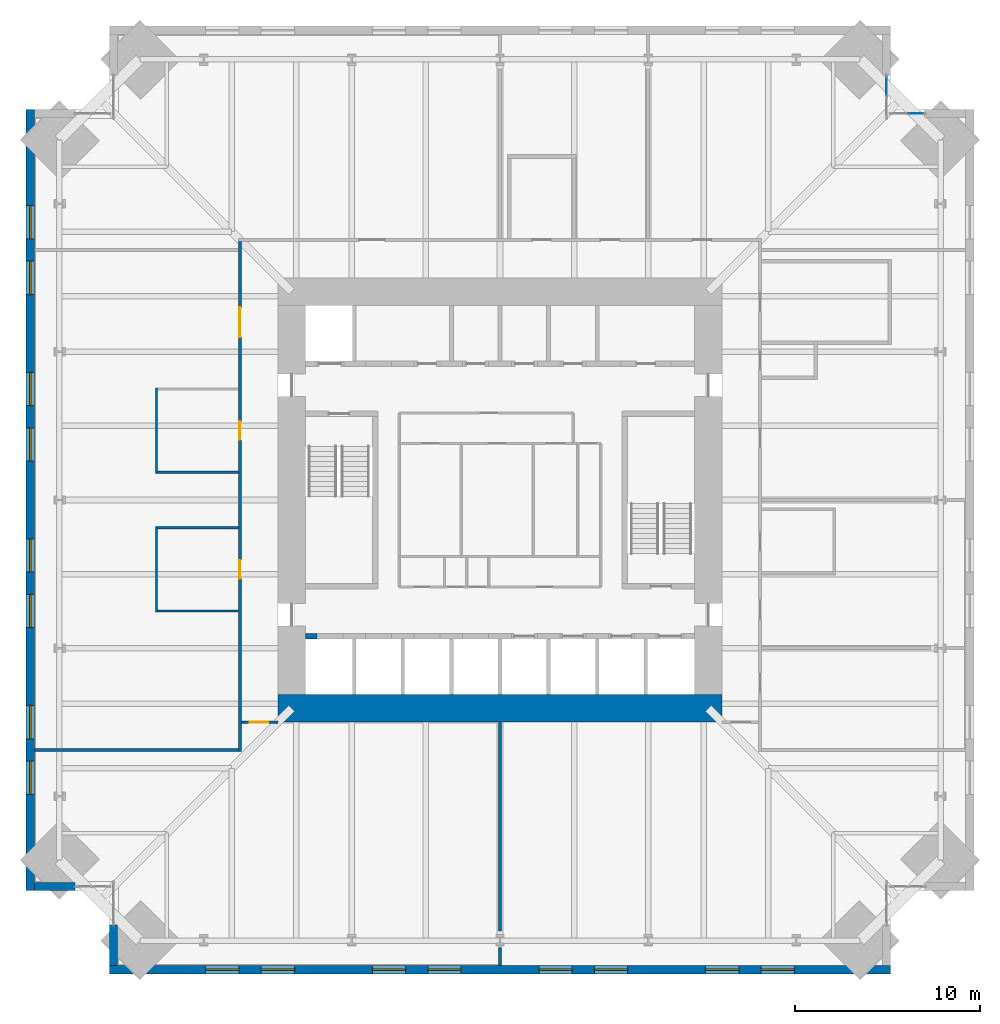
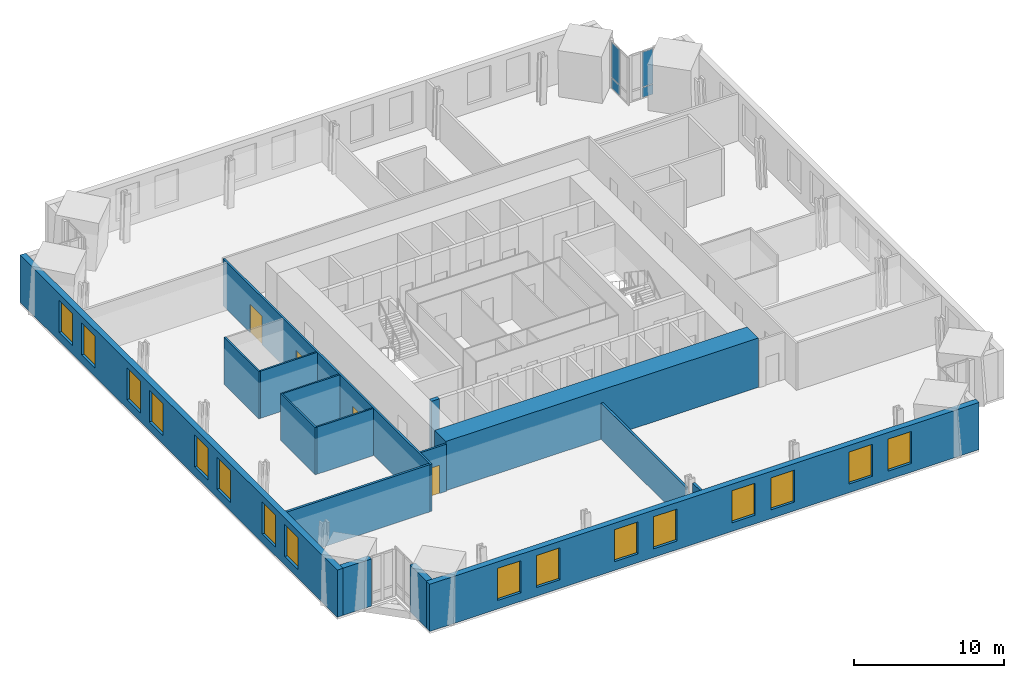
# One storey, part 13 of 18: 16 walls, 16 windows, 4 doors, 4 plates, 20 openings, 2 elements without a shape of their own.
"""IFC4 building model written with IfcOpenShell, lengths in metres."""

from ifc_helpers import new_model, si_unit, direction, frame, frame_2d, origin, origin_2d, place, context, subcontext, project, spatial, rectangle, extrude, material, layer, layer_set, type_object, element, fill, aggregate, save


model = new_model("IFC4")

# Units and contexts
model_context = context("Model", 3, precision=1e-05, world=origin(), true_north=direction((0.0, 1.0)))
body_context = subcontext(model_context, "Body", "Model", "MODEL_VIEW")
ifc_project = project(units=[si_unit("LENGTHUNIT", "METRE"), si_unit("AREAUNIT", "SQUARE_METRE"), si_unit("VOLUMEUNIT", "CUBIC_METRE"), si_unit("PLANEANGLEUNIT", "RADIAN"), si_unit("MASSUNIT", "GRAM", prefix="KILO")], contexts=[model_context])

# Site, building, storey
site_placement = place(None, origin())
site = spatial("IfcSite", under=ifc_project, at=site_placement, CompositionType="ELEMENT")
building_placement = place(site_placement, origin())
building = spatial("IfcBuilding", under=site, at=building_placement, Name="Peilmerk Tower", CompositionType="ELEMENT")
storey_placement = place(building_placement, frame((0.0, 0.0, 175.800048828125)))
storey = spatial("IfcBuildingStorey", under=building, at=storey_placement, Name="L37", CompositionType="ELEMENT", Elevation=175.800048828125)

# Curtain wall, plates
ifc_material_1 = material(Name="Aluminium stick curtain wall", Category="aluminium")
curtain_wall_type = type_object("IfcCurtainWallType", Name="CW3 stick curtain wall, 2250 module", PredefinedType="NOTDEFINED", material=ifc_material_1)
curtain_wall_1_placement = place(storey_placement, origin())
curtain_wall_1 = element("IfcCurtainWall", 1, at=curtain_wall_1_placement, inside=storey, type_object=curtain_wall_type, Name="Curtain wall CW3 NEA L37", PredefinedType="NOTDEFINED")
ifc_material_2 = material(Name="Clear insulated glazing unit", Category="glass")
ifc_layer_1 = layer(ifc_material_2, 0.028076171875)
ifc_layer_set_1 = layer_set([ifc_layer_1], Name="Clear insulated glazing unit")
plate_type = type_object("IfcPlateType", Name="CW3-P 28 glazed panel", PredefinedType="CURTAIN_PANEL", material=ifc_layer_set_1)
plate_1_placement = place(storey_placement, frame((20.875, 22.350341796875, 0.06494140625), z_axis=(0.0, 0.0, 1.0), x_axis=(0.0, 1.0, 0.0)))
plate_1 = element("IfcPlate", 2, at=plate_1_placement, type_object=plate_type, Name="CW3 panel 2.1", PredefinedType="CURTAIN_PANEL", context=body_context, shape_type="SweptSolid", body=[
    extrude(rectangle(XDim=1.046875, YDim=0.028076171875, at=origin_2d()), origin(), (0.0, 0.0, 1.0), 0.802490234375),
])
plate_2_placement = place(storey_placement, frame((20.875, 22.350341796875, 0.932373046875), z_axis=(0.0, 0.0, 1.0), x_axis=(0.0, 1.0, 0.0)))
plate_2 = element("IfcPlate", 3, at=plate_2_placement, type_object=plate_type, Name="CW3 panel 2.2", PredefinedType="CURTAIN_PANEL", context=body_context, shape_type="SweptSolid", body=[
    extrude(rectangle(XDim=1.046875, YDim=0.028076171875, at=origin_2d()), origin(), (0.0, 0.0, 1.0), 2.83251953125),
])
aggregate(curtain_wall_1, [plate_1, plate_2])

curtain_wall_2_placement = place(storey_placement, origin())
curtain_wall_2 = element("IfcCurtainWall", 4, at=curtain_wall_2_placement, inside=storey, type_object=curtain_wall_type, Name="Curtain wall CW3 NEB L37", PredefinedType="NOTDEFINED")
plate_3_placement = place(storey_placement, frame((22.462646484375, 20.875, 0.06494140625), z_axis=(0.0, 0.0, 1.0), x_axis=(1.0, 0.0, 0.0)))
plate_3 = element("IfcPlate", 5, at=plate_3_placement, type_object=plate_type, Name="CW3 panel 2.1", PredefinedType="CURTAIN_PANEL", context=body_context, shape_type="SweptSolid", body=[
    extrude(rectangle(XDim=0.82177734375, YDim=0.028076171875, at=origin_2d()), origin(), (0.0, 0.0, 1.0), 0.802490234375),
])
plate_4_placement = place(storey_placement, frame((22.462646484375, 20.875, 0.932373046875), z_axis=(0.0, 0.0, 1.0), x_axis=(1.0, 0.0, 0.0)))
plate_4 = element("IfcPlate", 6, at=plate_4_placement, type_object=plate_type, Name="CW3 panel 2.2", PredefinedType="CURTAIN_PANEL", context=body_context, shape_type="SweptSolid", body=[
    extrude(rectangle(XDim=0.82177734375, YDim=0.028076171875, at=origin_2d()), origin(), (0.0, 0.0, 1.0), 2.83251953125),
])
aggregate(curtain_wall_2, [plate_3, plate_4])

# Wall, openings, windows
ifc_material_3 = material(Name="Precast concrete C45/55, board-marked finish", Category="concrete")
ifc_layer_2 = layer(ifc_material_3, 0.449951171875)
ifc_layer_set_2 = layer_set([ifc_layer_2], Name="Precast concrete C45/55, board-marked finish")
wall_type_1 = type_object("IfcWallType", Name="EW1 450 precast concrete facade wall, board-marked", PredefinedType="SOLIDWALL", material=ifc_layer_set_2)
wall_1_placement = place(storey_placement, frame((-21.10009765625, -25.375, 0.0), z_axis=(0.0, 0.0, 1.0), x_axis=(1.0, 0.0, 0.0)))
wall_1 = element("IfcWall", 7, at=wall_1_placement, inside=storey, type_object=wall_type_1, Name="Facade wall S L37", PredefinedType="SOLIDWALL", context=body_context, shape_type="SweptSolid", body=[
    extrude(rectangle(XDim=42.2001953125, YDim=0.449951171875, at=frame_2d((21.10009765625, 0.0))), origin(), (0.0, 0.0, 1.0), 3.829833984375),
])
opening_1_placement = place(wall_1_placement, frame((5.199951171875, 0.0, 0.699951171875)))
opening_1 = element("IfcOpeningElement", 8, at=opening_1_placement, cuts=wall_1, Name="Opening W1", PredefinedType="OPENING", context=body_context, shape_type="SweptSolid", body=[
    extrude(rectangle(XDim=1.800048828125, YDim=2.60009765625, at=frame_2d((0.89990234375, 1.300048828125))), frame((0.0, 0.23486328125, 0.0), z_axis=(0.0, -1.0, 0.0), x_axis=(1.0, 0.0, 0.0)), (0.0, 0.0, 1.0), 0.469970703125),
])
opening_2_placement = place(wall_1_placement, frame((8.199951171875, 0.0, 0.699951171875)))
opening_2 = element("IfcOpeningElement", 9, at=opening_2_placement, cuts=wall_1, Name="Opening W1", PredefinedType="OPENING", context=body_context, shape_type="SweptSolid", body=[
    extrude(rectangle(XDim=1.800048828125, YDim=2.60009765625, at=frame_2d((0.89990234375, 1.300048828125))), frame((0.0, 0.23486328125, 0.0), z_axis=(0.0, -1.0, 0.0), x_axis=(1.0, 0.0, 0.0)), (0.0, 0.0, 1.0), 0.469970703125),
])
opening_3_placement = place(wall_1_placement, frame((14.199951171875, 0.0, 0.699951171875)))
opening_3 = element("IfcOpeningElement", 10, at=opening_3_placement, cuts=wall_1, Name="Opening W1", PredefinedType="OPENING", context=body_context, shape_type="SweptSolid", body=[
    extrude(rectangle(XDim=1.800048828125, YDim=2.60009765625, at=frame_2d((0.89990234375, 1.300048828125))), frame((0.0, 0.23486328125, 0.0), z_axis=(0.0, -1.0, 0.0), x_axis=(1.0, 0.0, 0.0)), (0.0, 0.0, 1.0), 0.469970703125),
])
opening_4_placement = place(wall_1_placement, frame((17.199951171875, 0.0, 0.699951171875)))
opening_4 = element("IfcOpeningElement", 11, at=opening_4_placement, cuts=wall_1, Name="Opening W1", PredefinedType="OPENING", context=body_context, shape_type="SweptSolid", body=[
    extrude(rectangle(XDim=1.800048828125, YDim=2.60009765625, at=frame_2d((0.89990234375, 1.300048828125))), frame((0.0, 0.23486328125, 0.0), z_axis=(0.0, -1.0, 0.0), x_axis=(1.0, 0.0, 0.0)), (0.0, 0.0, 1.0), 0.469970703125),
])
opening_5_placement = place(wall_1_placement, frame((23.199951171875, 0.0, 0.699951171875)))
opening_5 = element("IfcOpeningElement", 12, at=opening_5_placement, cuts=wall_1, Name="Opening W1", PredefinedType="OPENING", context=body_context, shape_type="SweptSolid", body=[
    extrude(rectangle(XDim=1.800048828125, YDim=2.60009765625, at=frame_2d((0.89990234375, 1.300048828125))), frame((0.0, 0.23486328125, 0.0), z_axis=(0.0, -1.0, 0.0), x_axis=(1.0, 0.0, 0.0)), (0.0, 0.0, 1.0), 0.469970703125),
])
opening_6_placement = place(wall_1_placement, frame((26.199951171875, 0.0, 0.699951171875)))
opening_6 = element("IfcOpeningElement", 13, at=opening_6_placement, cuts=wall_1, Name="Opening W1", PredefinedType="OPENING", context=body_context, shape_type="SweptSolid", body=[
    extrude(rectangle(XDim=1.800048828125, YDim=2.60009765625, at=frame_2d((0.89990234375, 1.300048828125))), frame((0.0, 0.23486328125, 0.0), z_axis=(0.0, -1.0, 0.0), x_axis=(1.0, 0.0, 0.0)), (0.0, 0.0, 1.0), 0.469970703125),
])
opening_7_placement = place(wall_1_placement, frame((32.199951171875, 0.0, 0.699951171875)))
opening_7 = element("IfcOpeningElement", 14, at=opening_7_placement, cuts=wall_1, Name="Opening W1", PredefinedType="OPENING", context=body_context, shape_type="SweptSolid", body=[
    extrude(rectangle(XDim=1.800048828125, YDim=2.60009765625, at=frame_2d((0.89990234375, 1.300048828125))), frame((0.0, 0.23486328125, 0.0), z_axis=(0.0, -1.0, 0.0), x_axis=(1.0, 0.0, 0.0)), (0.0, 0.0, 1.0), 0.469970703125),
])
opening_8_placement = place(wall_1_placement, frame((35.199951171875, 0.0, 0.699951171875)))
opening_8 = element("IfcOpeningElement", 15, at=opening_8_placement, cuts=wall_1, Name="Opening W1", PredefinedType="OPENING", context=body_context, shape_type="SweptSolid", body=[
    extrude(rectangle(XDim=1.800048828125, YDim=2.60009765625, at=frame_2d((0.89990234375, 1.300048828125))), frame((0.0, 0.23486328125, 0.0), z_axis=(0.0, -1.0, 0.0), x_axis=(1.0, 0.0, 0.0)), (0.0, 0.0, 1.0), 0.469970703125),
])
ifc_material_4 = material(Name="Aluminium frame, clear double glazing", Category="aluminium")
window_type = type_object("IfcWindowType", Name="W1 1800x2600 office window", PartitioningType="SINGLE_PANEL", PredefinedType="WINDOW", material=ifc_material_4)
window_1_placement = place(opening_1_placement, origin())
window_1 = element("IfcWindow", 16, at=window_1_placement, inside=storey, type_object=window_type, Name="Window W1 L37", OverallHeight=2.60009765625, OverallWidth=1.800048828125, PartitioningType="SINGLE_PANEL", PredefinedType="WINDOW", context=body_context, shape_type="SweptSolid", body=[
    extrude(rectangle(XDim=1.800048828125, YDim=2.60009765625, at=frame_2d((0.89990234375, 1.300048828125))), frame((0.0, 0.030029296875, 0.0), z_axis=(0.0, -1.0, 0.0), x_axis=(1.0, 0.0, 0.0)), (0.0, 0.0, 1.0), 0.06005859375),
])
fill(opening_1, window_1)
window_2_placement = place(opening_2_placement, origin())
window_2 = element("IfcWindow", 17, at=window_2_placement, inside=storey, type_object=window_type, Name="Window W1 L37", OverallHeight=2.60009765625, OverallWidth=1.800048828125, PartitioningType="SINGLE_PANEL", PredefinedType="WINDOW", context=body_context, shape_type="SweptSolid", body=[
    extrude(rectangle(XDim=1.800048828125, YDim=2.60009765625, at=frame_2d((0.89990234375, 1.300048828125))), frame((0.0, 0.030029296875, 0.0), z_axis=(0.0, -1.0, 0.0), x_axis=(1.0, 0.0, 0.0)), (0.0, 0.0, 1.0), 0.06005859375),
])
fill(opening_2, window_2)
window_3_placement = place(opening_3_placement, origin())
window_3 = element("IfcWindow", 18, at=window_3_placement, inside=storey, type_object=window_type, Name="Window W1 L37", OverallHeight=2.60009765625, OverallWidth=1.800048828125, PartitioningType="SINGLE_PANEL", PredefinedType="WINDOW", context=body_context, shape_type="SweptSolid", body=[
    extrude(rectangle(XDim=1.800048828125, YDim=2.60009765625, at=frame_2d((0.89990234375, 1.300048828125))), frame((0.0, 0.030029296875, 0.0), z_axis=(0.0, -1.0, 0.0), x_axis=(1.0, 0.0, 0.0)), (0.0, 0.0, 1.0), 0.06005859375),
])
fill(opening_3, window_3)
window_4_placement = place(opening_4_placement, origin())
window_4 = element("IfcWindow", 19, at=window_4_placement, inside=storey, type_object=window_type, Name="Window W1 L37", OverallHeight=2.60009765625, OverallWidth=1.800048828125, PartitioningType="SINGLE_PANEL", PredefinedType="WINDOW", context=body_context, shape_type="SweptSolid", body=[
    extrude(rectangle(XDim=1.800048828125, YDim=2.60009765625, at=frame_2d((0.89990234375, 1.300048828125))), frame((0.0, 0.030029296875, 0.0), z_axis=(0.0, -1.0, 0.0), x_axis=(1.0, 0.0, 0.0)), (0.0, 0.0, 1.0), 0.06005859375),
])
fill(opening_4, window_4)
window_5_placement = place(opening_5_placement, origin())
window_5 = element("IfcWindow", 20, at=window_5_placement, inside=storey, type_object=window_type, Name="Window W1 L37", OverallHeight=2.60009765625, OverallWidth=1.800048828125, PartitioningType="SINGLE_PANEL", PredefinedType="WINDOW", context=body_context, shape_type="SweptSolid", body=[
    extrude(rectangle(XDim=1.800048828125, YDim=2.60009765625, at=frame_2d((0.89990234375, 1.300048828125))), frame((0.0, 0.030029296875, 0.0), z_axis=(0.0, -1.0, 0.0), x_axis=(1.0, 0.0, 0.0)), (0.0, 0.0, 1.0), 0.06005859375),
])
fill(opening_5, window_5)
window_6_placement = place(opening_6_placement, origin())
window_6 = element("IfcWindow", 21, at=window_6_placement, inside=storey, type_object=window_type, Name="Window W1 L37", OverallHeight=2.60009765625, OverallWidth=1.800048828125, PartitioningType="SINGLE_PANEL", PredefinedType="WINDOW", context=body_context, shape_type="SweptSolid", body=[
    extrude(rectangle(XDim=1.800048828125, YDim=2.60009765625, at=frame_2d((0.89990234375, 1.300048828125))), frame((0.0, 0.030029296875, 0.0), z_axis=(0.0, -1.0, 0.0), x_axis=(1.0, 0.0, 0.0)), (0.0, 0.0, 1.0), 0.06005859375),
])
fill(opening_6, window_6)
window_7_placement = place(opening_7_placement, origin())
window_7 = element("IfcWindow", 22, at=window_7_placement, inside=storey, type_object=window_type, Name="Window W1 L37", OverallHeight=2.60009765625, OverallWidth=1.800048828125, PartitioningType="SINGLE_PANEL", PredefinedType="WINDOW", context=body_context, shape_type="SweptSolid", body=[
    extrude(rectangle(XDim=1.800048828125, YDim=2.60009765625, at=frame_2d((0.89990234375, 1.300048828125))), frame((0.0, 0.030029296875, 0.0), z_axis=(0.0, -1.0, 0.0), x_axis=(1.0, 0.0, 0.0)), (0.0, 0.0, 1.0), 0.06005859375),
])
fill(opening_7, window_7)
window_8_placement = place(opening_8_placement, origin())
window_8 = element("IfcWindow", 23, at=window_8_placement, inside=storey, type_object=window_type, Name="Window W1 L37", OverallHeight=2.60009765625, OverallWidth=1.800048828125, PartitioningType="SINGLE_PANEL", PredefinedType="WINDOW", context=body_context, shape_type="SweptSolid", body=[
    extrude(rectangle(XDim=1.800048828125, YDim=2.60009765625, at=frame_2d((0.89990234375, 1.300048828125))), frame((0.0, 0.030029296875, 0.0), z_axis=(0.0, -1.0, 0.0), x_axis=(1.0, 0.0, 0.0)), (0.0, 0.0, 1.0), 0.06005859375),
])
fill(opening_8, window_8)

wall_2_placement = place(storey_placement, frame((-25.375, 21.10009765625, 0.0), z_axis=(0.0, 0.0, 1.0), x_axis=(0.0, -1.0, 0.0)))
wall_2 = element("IfcWall", 24, at=wall_2_placement, inside=storey, type_object=wall_type_1, Name="Facade wall W L37", PredefinedType="SOLIDWALL", context=body_context, shape_type="SweptSolid", body=[
    extrude(rectangle(XDim=42.2001953125, YDim=0.449951171875, at=frame_2d((21.10009765625, 0.0))), origin(), (0.0, 0.0, 1.0), 3.829833984375),
])
opening_9_placement = place(wall_2_placement, frame((5.199951171875, 0.0, 0.699951171875)))
opening_9 = element("IfcOpeningElement", 25, at=opening_9_placement, cuts=wall_2, Name="Opening W1", PredefinedType="OPENING", context=body_context, shape_type="SweptSolid", body=[
    extrude(rectangle(XDim=1.800048828125, YDim=2.60009765625, at=frame_2d((0.89990234375, 1.300048828125))), frame((0.0, 0.23486328125, 0.0), z_axis=(0.0, -1.0, 0.0), x_axis=(1.0, 0.0, 0.0)), (0.0, 0.0, 1.0), 0.469970703125),
])
opening_10_placement = place(wall_2_placement, frame((8.199951171875, 0.0, 0.699951171875)))
opening_10 = element("IfcOpeningElement", 26, at=opening_10_placement, cuts=wall_2, Name="Opening W1", PredefinedType="OPENING", context=body_context, shape_type="SweptSolid", body=[
    extrude(rectangle(XDim=1.800048828125, YDim=2.60009765625, at=frame_2d((0.89990234375, 1.300048828125))), frame((0.0, 0.23486328125, 0.0), z_axis=(0.0, -1.0, 0.0), x_axis=(1.0, 0.0, 0.0)), (0.0, 0.0, 1.0), 0.469970703125),
])
opening_11_placement = place(wall_2_placement, frame((14.199951171875, 0.0, 0.699951171875)))
opening_11 = element("IfcOpeningElement", 27, at=opening_11_placement, cuts=wall_2, Name="Opening W1", PredefinedType="OPENING", context=body_context, shape_type="SweptSolid", body=[
    extrude(rectangle(XDim=1.800048828125, YDim=2.60009765625, at=frame_2d((0.89990234375, 1.300048828125))), frame((0.0, 0.23486328125, 0.0), z_axis=(0.0, -1.0, 0.0), x_axis=(1.0, 0.0, 0.0)), (0.0, 0.0, 1.0), 0.469970703125),
])
opening_12_placement = place(wall_2_placement, frame((17.199951171875, 0.0, 0.699951171875)))
opening_12 = element("IfcOpeningElement", 28, at=opening_12_placement, cuts=wall_2, Name="Opening W1", PredefinedType="OPENING", context=body_context, shape_type="SweptSolid", body=[
    extrude(rectangle(XDim=1.800048828125, YDim=2.60009765625, at=frame_2d((0.89990234375, 1.300048828125))), frame((0.0, 0.23486328125, 0.0), z_axis=(0.0, -1.0, 0.0), x_axis=(1.0, 0.0, 0.0)), (0.0, 0.0, 1.0), 0.469970703125),
])
opening_13_placement = place(wall_2_placement, frame((23.199951171875, 0.0, 0.699951171875)))
opening_13 = element("IfcOpeningElement", 29, at=opening_13_placement, cuts=wall_2, Name="Opening W1", PredefinedType="OPENING", context=body_context, shape_type="SweptSolid", body=[
    extrude(rectangle(XDim=1.800048828125, YDim=2.60009765625, at=frame_2d((0.89990234375, 1.300048828125))), frame((0.0, 0.23486328125, 0.0), z_axis=(0.0, -1.0, 0.0), x_axis=(1.0, 0.0, 0.0)), (0.0, 0.0, 1.0), 0.469970703125),
])
opening_14_placement = place(wall_2_placement, frame((26.199951171875, 0.0, 0.699951171875)))
opening_14 = element("IfcOpeningElement", 30, at=opening_14_placement, cuts=wall_2, Name="Opening W1", PredefinedType="OPENING", context=body_context, shape_type="SweptSolid", body=[
    extrude(rectangle(XDim=1.800048828125, YDim=2.60009765625, at=frame_2d((0.89990234375, 1.300048828125))), frame((0.0, 0.23486328125, 0.0), z_axis=(0.0, -1.0, 0.0), x_axis=(1.0, 0.0, 0.0)), (0.0, 0.0, 1.0), 0.469970703125),
])
opening_15_placement = place(wall_2_placement, frame((32.199951171875, 0.0, 0.699951171875)))
opening_15 = element("IfcOpeningElement", 31, at=opening_15_placement, cuts=wall_2, Name="Opening W1", PredefinedType="OPENING", context=body_context, shape_type="SweptSolid", body=[
    extrude(rectangle(XDim=1.800048828125, YDim=2.60009765625, at=frame_2d((0.89990234375, 1.300048828125))), frame((0.0, 0.23486328125, 0.0), z_axis=(0.0, -1.0, 0.0), x_axis=(1.0, 0.0, 0.0)), (0.0, 0.0, 1.0), 0.469970703125),
])
opening_16_placement = place(wall_2_placement, frame((35.199951171875, 0.0, 0.699951171875)))
opening_16 = element("IfcOpeningElement", 32, at=opening_16_placement, cuts=wall_2, Name="Opening W1", PredefinedType="OPENING", context=body_context, shape_type="SweptSolid", body=[
    extrude(rectangle(XDim=1.800048828125, YDim=2.60009765625, at=frame_2d((0.89990234375, 1.300048828125))), frame((0.0, 0.23486328125, 0.0), z_axis=(0.0, -1.0, 0.0), x_axis=(1.0, 0.0, 0.0)), (0.0, 0.0, 1.0), 0.469970703125),
])
window_9_placement = place(opening_9_placement, origin())
window_9 = element("IfcWindow", 33, at=window_9_placement, inside=storey, type_object=window_type, Name="Window W1 L37", OverallHeight=2.60009765625, OverallWidth=1.800048828125, PartitioningType="SINGLE_PANEL", PredefinedType="WINDOW", context=body_context, shape_type="SweptSolid", body=[
    extrude(rectangle(XDim=1.800048828125, YDim=2.60009765625, at=frame_2d((0.89990234375, 1.300048828125))), frame((0.0, 0.030029296875, 0.0), z_axis=(0.0, -1.0, 0.0), x_axis=(1.0, 0.0, 0.0)), (0.0, 0.0, 1.0), 0.06005859375),
])
fill(opening_9, window_9)
window_10_placement = place(opening_10_placement, origin())
window_10 = element("IfcWindow", 34, at=window_10_placement, inside=storey, type_object=window_type, Name="Window W1 L37", OverallHeight=2.60009765625, OverallWidth=1.800048828125, PartitioningType="SINGLE_PANEL", PredefinedType="WINDOW", context=body_context, shape_type="SweptSolid", body=[
    extrude(rectangle(XDim=1.800048828125, YDim=2.60009765625, at=frame_2d((0.89990234375, 1.300048828125))), frame((0.0, 0.030029296875, 0.0), z_axis=(0.0, -1.0, 0.0), x_axis=(1.0, 0.0, 0.0)), (0.0, 0.0, 1.0), 0.06005859375),
])
fill(opening_10, window_10)
window_11_placement = place(opening_11_placement, origin())
window_11 = element("IfcWindow", 35, at=window_11_placement, inside=storey, type_object=window_type, Name="Window W1 L37", OverallHeight=2.60009765625, OverallWidth=1.800048828125, PartitioningType="SINGLE_PANEL", PredefinedType="WINDOW", context=body_context, shape_type="SweptSolid", body=[
    extrude(rectangle(XDim=1.800048828125, YDim=2.60009765625, at=frame_2d((0.89990234375, 1.300048828125))), frame((0.0, 0.030029296875, 0.0), z_axis=(0.0, -1.0, 0.0), x_axis=(1.0, 0.0, 0.0)), (0.0, 0.0, 1.0), 0.06005859375),
])
fill(opening_11, window_11)
window_12_placement = place(opening_12_placement, origin())
window_12 = element("IfcWindow", 36, at=window_12_placement, inside=storey, type_object=window_type, Name="Window W1 L37", OverallHeight=2.60009765625, OverallWidth=1.800048828125, PartitioningType="SINGLE_PANEL", PredefinedType="WINDOW", context=body_context, shape_type="SweptSolid", body=[
    extrude(rectangle(XDim=1.800048828125, YDim=2.60009765625, at=frame_2d((0.89990234375, 1.300048828125))), frame((0.0, 0.030029296875, 0.0), z_axis=(0.0, -1.0, 0.0), x_axis=(1.0, 0.0, 0.0)), (0.0, 0.0, 1.0), 0.06005859375),
])
fill(opening_12, window_12)
window_13_placement = place(opening_13_placement, origin())
window_13 = element("IfcWindow", 37, at=window_13_placement, inside=storey, type_object=window_type, Name="Window W1 L37", OverallHeight=2.60009765625, OverallWidth=1.800048828125, PartitioningType="SINGLE_PANEL", PredefinedType="WINDOW", context=body_context, shape_type="SweptSolid", body=[
    extrude(rectangle(XDim=1.800048828125, YDim=2.60009765625, at=frame_2d((0.89990234375, 1.300048828125))), frame((0.0, 0.030029296875, 0.0), z_axis=(0.0, -1.0, 0.0), x_axis=(1.0, 0.0, 0.0)), (0.0, 0.0, 1.0), 0.06005859375),
])
fill(opening_13, window_13)
window_14_placement = place(opening_14_placement, origin())
window_14 = element("IfcWindow", 38, at=window_14_placement, inside=storey, type_object=window_type, Name="Window W1 L37", OverallHeight=2.60009765625, OverallWidth=1.800048828125, PartitioningType="SINGLE_PANEL", PredefinedType="WINDOW", context=body_context, shape_type="SweptSolid", body=[
    extrude(rectangle(XDim=1.800048828125, YDim=2.60009765625, at=frame_2d((0.89990234375, 1.300048828125))), frame((0.0, 0.030029296875, 0.0), z_axis=(0.0, -1.0, 0.0), x_axis=(1.0, 0.0, 0.0)), (0.0, 0.0, 1.0), 0.06005859375),
])
fill(opening_14, window_14)
window_15_placement = place(opening_15_placement, origin())
window_15 = element("IfcWindow", 39, at=window_15_placement, inside=storey, type_object=window_type, Name="Window W1 L37", OverallHeight=2.60009765625, OverallWidth=1.800048828125, PartitioningType="SINGLE_PANEL", PredefinedType="WINDOW", context=body_context, shape_type="SweptSolid", body=[
    extrude(rectangle(XDim=1.800048828125, YDim=2.60009765625, at=frame_2d((0.89990234375, 1.300048828125))), frame((0.0, 0.030029296875, 0.0), z_axis=(0.0, -1.0, 0.0), x_axis=(1.0, 0.0, 0.0)), (0.0, 0.0, 1.0), 0.06005859375),
])
fill(opening_15, window_15)
window_16_placement = place(opening_16_placement, origin())
window_16 = element("IfcWindow", 40, at=window_16_placement, inside=storey, type_object=window_type, Name="Window W1 L37", OverallHeight=2.60009765625, OverallWidth=1.800048828125, PartitioningType="SINGLE_PANEL", PredefinedType="WINDOW", context=body_context, shape_type="SweptSolid", body=[
    extrude(rectangle(XDim=1.800048828125, YDim=2.60009765625, at=frame_2d((0.89990234375, 1.300048828125))), frame((0.0, 0.030029296875, 0.0), z_axis=(0.0, -1.0, 0.0), x_axis=(1.0, 0.0, 0.0)), (0.0, 0.0, 1.0), 0.06005859375),
])
fill(opening_16, window_16)

# Walls
for number, where, z_axis, x_axis, name in (
    (41, (-20.875, -22.95361328125, 0.0), (0.0, 0.0, 1.0), (0.0, -1.0, 0.0), "Facade wall SWA L37"),
    (42, (-22.95361328125, -20.875, 0.0), (0.0, 0.0, 1.0), (-1.0, 0.0, 0.0), "Facade wall SWB L37"),
):
    element("IfcWall", number, at=place(storey_placement, frame(where, z_axis=z_axis, x_axis=x_axis)), inside=storey, type_object=wall_type_1, Name=name, PredefinedType="SOLIDWALL", context=body_context, shape_type="SweptSolid", body=[
        extrude(rectangle(XDim=2.1962890625, YDim=0.449951171875, at=frame_2d((1.09814453125, 0.0))), origin(), (0.0, 0.0, 1.0), 3.829833984375),
    ])

# Wall, openings, doors
ifc_material_5 = material(Name="Calcium silicate block", Category="masonry")
ifc_layer_3 = layer(ifc_material_5, 0.14990234375)
ifc_layer_set_3 = layer_set([ifc_layer_3], Name="Calcium silicate block")
wall_type_2 = type_object("IfcWallType", Name="IW1 150 corridor partition, EI 60", PredefinedType="PARTITIONING", material=ifc_layer_set_3)
wall_3_placement = place(storey_placement, frame((-14.050048828125, 13.97509765625, 0.0), z_axis=(0.0, 0.0, 1.0), x_axis=(0.0, -1.0, 0.0)))
wall_3 = element("IfcWall", 43, at=wall_3_placement, inside=storey, type_object=wall_type_2, Name="Corridor wall W L37", PredefinedType="PARTITIONING", context=body_context, shape_type="SweptSolid", body=[
    extrude(rectangle(XDim=27.550048828125, YDim=0.14990234375, at=frame_2d((13.77490234375, 0.0))), origin(), (0.0, 0.0, 1.0), 3.829833984375),
])
opening_17_placement = place(wall_3_placement, frame((3.574951171875, 0.0, 0.0)))
opening_17 = element("IfcOpeningElement", 44, at=opening_17_placement, cuts=wall_3, Name="Opening D9", PredefinedType="OPENING", context=body_context, shape_type="SweptSolid", body=[
    extrude(rectangle(XDim=1.60009765625, YDim=2.300048828125, at=frame_2d((0.800048828125, 1.14990234375))), frame((0.0, 0.0849609375, 0.0), z_axis=(0.0, -1.0, 0.0), x_axis=(1.0, 0.0, 0.0)), (0.0, 0.0, 1.0), 0.169921875),
])
opening_18_placement = place(wall_3_placement, frame((17.22509765625, 0.0, 0.0)))
opening_18 = element("IfcOpeningElement", 45, at=opening_18_placement, cuts=wall_3, Name="Opening D1", PredefinedType="OPENING", context=body_context, shape_type="SweptSolid", body=[
    extrude(rectangle(XDim=1.0, YDim=2.300048828125, at=frame_2d((0.5, 1.14990234375))), frame((0.0, 0.0849609375, 0.0), z_axis=(0.0, -1.0, 0.0), x_axis=(1.0, 0.0, 0.0)), (0.0, 0.0, 1.0), 0.169921875),
])
opening_19_placement = place(wall_3_placement, frame((9.72509765625, 0.0, 0.0)))
opening_19 = element("IfcOpeningElement", 46, at=opening_19_placement, cuts=wall_3, Name="Opening D1", PredefinedType="OPENING", context=body_context, shape_type="SweptSolid", body=[
    extrude(rectangle(XDim=1.0, YDim=2.300048828125, at=frame_2d((0.5, 1.14990234375))), frame((0.0, 0.0849609375, 0.0), z_axis=(0.0, -1.0, 0.0), x_axis=(1.0, 0.0, 0.0)), (0.0, 0.0, 1.0), 0.169921875),
])
ifc_material_6 = material(Name="Timber door in steel frame", Category="steel")
door_type_1 = type_object("IfcDoorType", Name="D1 1000x2300 room door, EI2 30", OperationType="SINGLE_SWING_LEFT", PredefinedType="DOOR", material=ifc_material_6)
door_1_placement = place(opening_18_placement, frame((1.0, 0.0, 0.0), z_axis=(0.0, 0.0, 1.0), x_axis=(-1.0, 0.0, 0.0)))
door_1 = element("IfcDoor", 47, at=door_1_placement, inside=storey, type_object=door_type_1, Name="Door Meeting room L37", OperationType="SINGLE_SWING_LEFT", OverallHeight=2.300048828125, OverallWidth=1.0, PredefinedType="DOOR", context=body_context, shape_type="SweptSolid", body=[
    extrude(rectangle(XDim=1.0, YDim=2.300048828125, at=frame_2d((0.5, 1.14990234375))), frame((0.0, 0.02490234375, 0.0), z_axis=(0.0, -1.0, 0.0), x_axis=(1.0, 0.0, 0.0)), (0.0, 0.0, 1.0), 0.050048828125),
])
fill(opening_18, door_1)
door_2_placement = place(opening_19_placement, frame((1.0, 0.0, 0.0), z_axis=(0.0, 0.0, 1.0), x_axis=(-1.0, 0.0, 0.0)))
door_2 = element("IfcDoor", 48, at=door_2_placement, inside=storey, type_object=door_type_1, Name="Door Focus room L37", OperationType="SINGLE_SWING_LEFT", OverallHeight=2.300048828125, OverallWidth=1.0, PredefinedType="DOOR", context=body_context, shape_type="SweptSolid", body=[
    extrude(rectangle(XDim=1.0, YDim=2.300048828125, at=frame_2d((0.5, 1.14990234375))), frame((0.0, 0.02490234375, 0.0), z_axis=(0.0, -1.0, 0.0), x_axis=(1.0, 0.0, 0.0)), (0.0, 0.0, 1.0), 0.050048828125),
])
fill(opening_19, door_2)
ifc_material_7 = material(Name="Glazed timber door in steel frame", Category="steel")
door_type_2 = type_object("IfcDoorType", Name="D9 1600x2300 glazed double door, EI2 30", OperationType="DOUBLE_DOOR_SINGLE_SWING", PredefinedType="DOOR", material=ifc_material_7)
door_3_placement = place(opening_17_placement, frame((1.60009765625, 0.0, 0.0), z_axis=(0.0, 0.0, 1.0), x_axis=(-1.0, 0.0, 0.0)))
door_3 = element("IfcDoor", 49, at=door_3_placement, inside=storey, type_object=door_type_2, Name="Door Open workspace L37", OperationType="DOUBLE_DOOR_SINGLE_SWING", OverallHeight=2.300048828125, OverallWidth=1.60009765625, PredefinedType="DOOR", context=body_context, shape_type="SweptSolid", body=[
    extrude(rectangle(XDim=1.60009765625, YDim=2.300048828125, at=frame_2d((0.800048828125, 1.14990234375))), frame((0.0, 0.02490234375, 0.0), z_axis=(0.0, -1.0, 0.0), x_axis=(1.0, 0.0, 0.0)), (0.0, 0.0, 1.0), 0.050048828125),
])
fill(opening_17, door_3)

# Wall, opening, door
wall_4_placement = place(storey_placement, frame((-12.0, -12.0, 0.0), z_axis=(0.0, 0.0, 1.0), x_axis=(-1.0, 0.0, 0.0)))
wall_4 = element("IfcWall", 50, at=wall_4_placement, inside=storey, type_object=wall_type_2, Name="Corridor wall SW L37", PredefinedType="PARTITIONING", context=body_context, shape_type="SweptSolid", body=[
    extrude(rectangle(XDim=1.97509765625, YDim=0.14990234375, at=frame_2d((0.987548828125, 0.0))), origin(), (0.0, 0.0, 1.0), 3.829833984375),
])
opening_20_placement = place(wall_4_placement, frame((0.52490234375, 0.0, 0.0)))
opening_20 = element("IfcOpeningElement", 51, at=opening_20_placement, cuts=wall_4, Name="Opening D1", PredefinedType="OPENING", context=body_context, shape_type="SweptSolid", body=[
    extrude(rectangle(XDim=1.0, YDim=2.300048828125, at=frame_2d((0.5, 1.14990234375))), frame((0.0, 0.0849609375, 0.0), z_axis=(0.0, -1.0, 0.0), x_axis=(1.0, 0.0, 0.0)), (0.0, 0.0, 1.0), 0.169921875),
])
door_4_placement = place(opening_20_placement, origin())
door_4 = element("IfcDoor", 52, at=door_4_placement, inside=storey, type_object=door_type_1, Name="Door Library L37", OperationType="SINGLE_SWING_LEFT", OverallHeight=2.300048828125, OverallWidth=1.0, PredefinedType="DOOR", context=body_context, shape_type="SweptSolid", body=[
    extrude(rectangle(XDim=1.0, YDim=2.300048828125, at=frame_2d((0.5, 1.14990234375))), frame((0.0, 0.02490234375, 0.0), z_axis=(0.0, -1.0, 0.0), x_axis=(1.0, 0.0, 0.0)), (0.0, 0.0, 1.0), 0.050048828125),
])
fill(opening_20, door_4)

# Walls
ifc_material_8 = material(Name="Plasterboard on steel studs, double boarded with mineral wool", Category="steel")
ifc_layer_4 = layer(ifc_material_8, 0.125)
ifc_layer_set_4 = layer_set([ifc_layer_4], Name="Plasterboard on steel studs, double boarded with mineral wool")
wall_type_3 = type_object("IfcWallType", Name="IW7 125 acoustic partition, EI 30", PredefinedType="PARTITIONING", material=ifc_layer_set_4)
wall_5_placement = place(storey_placement, frame((-18.550048828125, -6.0625, 0.0), z_axis=(0.0, 0.0, 1.0), x_axis=(0.0, 1.0, 0.0)))
element("IfcWall", 53, at=wall_5_placement, inside=storey, type_object=wall_type_3, Name="Acoustic partition Meeting room L37", PredefinedType="PARTITIONING", context=body_context, shape_type="SweptSolid", body=[
    extrude(rectangle(XDim=4.625, YDim=0.125, at=frame_2d((2.3125, 0.0))), origin(), (0.0, 0.0, 1.0), 3.829833984375),
])
for number, where, z_axis, x_axis, name in (
    (54, (-14.125, -6.0, 0.0), (0.0, 0.0, 1.0), (-1.0, 0.0, 0.0), "Acoustic partition Meeting room L37"),
    (55, (-14.125, -1.5, 0.0), (0.0, 0.0, 1.0), (-1.0, 0.0, 0.0), "Acoustic partition Meeting room L37"),
):
    element("IfcWall", number, at=place(storey_placement, frame(where, z_axis=z_axis, x_axis=x_axis)), inside=storey, type_object=wall_type_3, Name=name, PredefinedType="PARTITIONING", context=body_context, shape_type="SweptSolid", body=[
        extrude(rectangle(XDim=4.362548828125, YDim=0.125, at=frame_2d((2.18115234375, 0.0))), origin(), (0.0, 0.0, 1.0), 3.829833984375),
    ])
wall_6_placement = place(storey_placement, frame((-18.550048828125, 1.4375, 0.0), z_axis=(0.0, 0.0, 1.0), x_axis=(0.0, 1.0, 0.0)))
element("IfcWall", 56, at=wall_6_placement, inside=storey, type_object=wall_type_3, Name="Acoustic partition Focus room L37", PredefinedType="PARTITIONING", context=body_context, shape_type="SweptSolid", body=[
    extrude(rectangle(XDim=4.625, YDim=0.125, at=frame_2d((2.3125, 0.0))), origin(), (0.0, 0.0, 1.0), 3.829833984375),
])
wall_7_placement = place(storey_placement, frame((-14.125, 1.5, 0.0), z_axis=(0.0, 0.0, 1.0), x_axis=(-1.0, 0.0, 0.0)))
element("IfcWall", 57, at=wall_7_placement, inside=storey, type_object=wall_type_3, Name="Acoustic partition Focus room L37", PredefinedType="PARTITIONING", context=body_context, shape_type="SweptSolid", body=[
    extrude(rectangle(XDim=4.362548828125, YDim=0.125, at=frame_2d((2.18115234375, 0.0))), origin(), (0.0, 0.0, 1.0), 3.829833984375),
])
ifc_layer_5 = layer(ifc_material_5, 0.175048828125)
ifc_layer_set_5 = layer_set([ifc_layer_5], Name="Calcium silicate block")
wall_type_4 = type_object("IfcWallType", Name="IW8 175 tenant separating wall, EI 60", PredefinedType="PARTITIONING", material=ifc_layer_set_5)
wall_8_placement = place(storey_placement, frame((-14.125, -13.5, 0.0), z_axis=(0.0, 0.0, 1.0), x_axis=(-1.0, 0.0, 0.0)))
element("IfcWall", 58, at=wall_8_placement, inside=storey, type_object=wall_type_4, Name="Tenant separating wall SW L37", PredefinedType="PARTITIONING", context=body_context, shape_type="SweptSolid", body=[
    extrude(rectangle(XDim=11.02490234375, YDim=0.175048828125, at=frame_2d((5.512451171875, 0.0))), origin(), (0.0, 0.0, 1.0), 3.829833984375),
])
wall_9_placement = place(storey_placement, frame((0.0, -12.0, 0.0), z_axis=(0.0, 0.0, 1.0), x_axis=(0.0, -1.0, 0.0)))
element("IfcWall", 59, at=wall_9_placement, inside=storey, type_object=wall_type_4, Name="Tenant separating wall S1 L37", PredefinedType="PARTITIONING", context=body_context, shape_type="SweptSolid", body=[
    extrude(rectangle(XDim=11.28271484375, YDim=0.175048828125, at=frame_2d((5.641357421875, 0.0))), origin(), (0.0, 0.0, 1.0), 2.93994140625),
])
wall_10_placement = place(storey_placement, frame((0.0, -24.172119140625, 0.0), z_axis=(0.0, 0.0, 1.0), x_axis=(0.0, -1.0, 0.0)))
element("IfcWall", 60, at=wall_10_placement, inside=storey, type_object=wall_type_4, Name="Tenant separating wall S1b L37", PredefinedType="PARTITIONING", context=body_context, shape_type="SweptSolid", body=[
    extrude(rectangle(XDim=0.977783203125, YDim=0.175048828125, at=frame_2d((0.48876953125, 0.0))), origin(), (0.0, 0.0, 1.0), 3.829833984375),
])
ifc_material_9 = material(Name="Concrete C55/67", Category="concrete")
ifc_layer_6 = layer(ifc_material_9, 1.5)
ifc_layer_set_6 = layer_set([ifc_layer_6], Name="Concrete C55/67")
wall_type_5 = type_object("IfcWallType", Name="SW1 1500 core wall", PredefinedType="SHEAR", material=ifc_layer_set_6)
wall_11_placement = place(storey_placement, frame((12.0, -11.25, 0.0), z_axis=(0.0, 0.0, 1.0), x_axis=(-1.0, 0.0, 0.0)))
element("IfcWall", 61, at=wall_11_placement, inside=storey, type_object=wall_type_5, Name="Core wall S L37", PredefinedType="SHEAR", context=body_context, shape_type="SweptSolid", body=[
    extrude(rectangle(XDim=24.0, YDim=1.5, at=frame_2d((12.0, 0.0))), origin(), (0.0, 0.0, 1.0), 4.0),
])
ifc_layer_7 = layer(ifc_material_9, 0.300048828125)
ifc_layer_set_7 = layer_set([ifc_layer_7], Name="Concrete C55/67")
wall_type_6 = type_object("IfcWallType", Name="SW2 300 lift bank pier", PredefinedType="SHEAR", material=ifc_layer_set_7)
wall_12_placement = place(storey_placement, frame((-10.5, -7.35009765625, 0.0), z_axis=(0.0, 0.0, 1.0), x_axis=(1.0, 0.0, 0.0)))
element("IfcWall", 62, at=wall_12_placement, inside=storey, type_object=wall_type_6, Name="Lift bank pier S L37", PredefinedType="SHEAR", context=body_context, shape_type="SweptSolid", body=[
    extrude(rectangle(XDim=0.612548828125, YDim=0.300048828125, at=frame_2d((0.30615234375, 0.0))), origin(), (0.0, 0.0, 1.0), 4.0),
])

save(model, "model.ifc")
